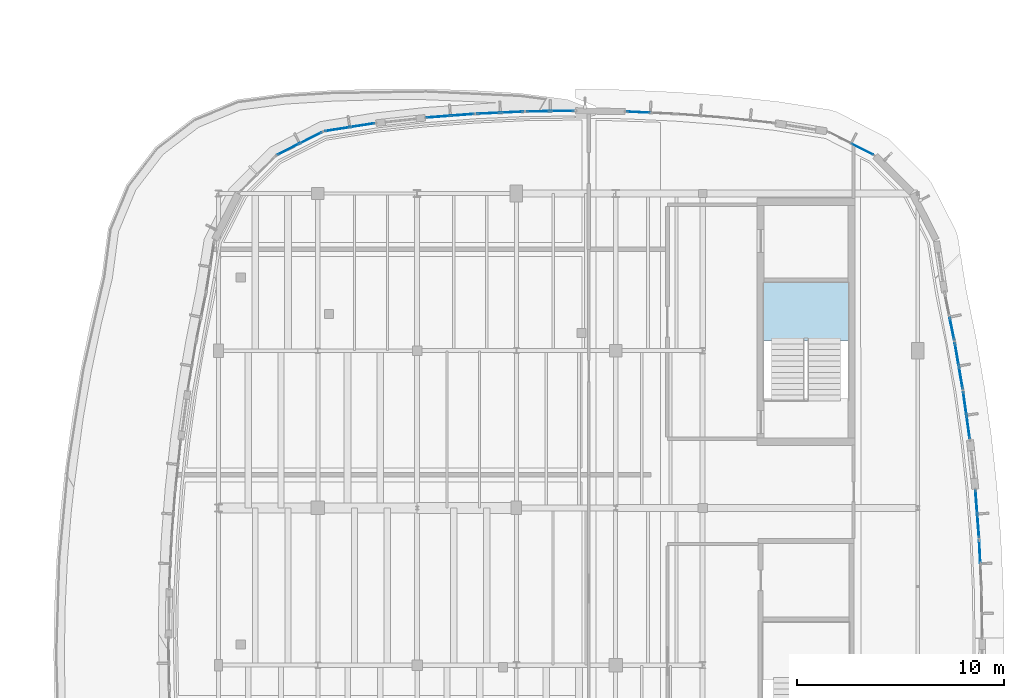
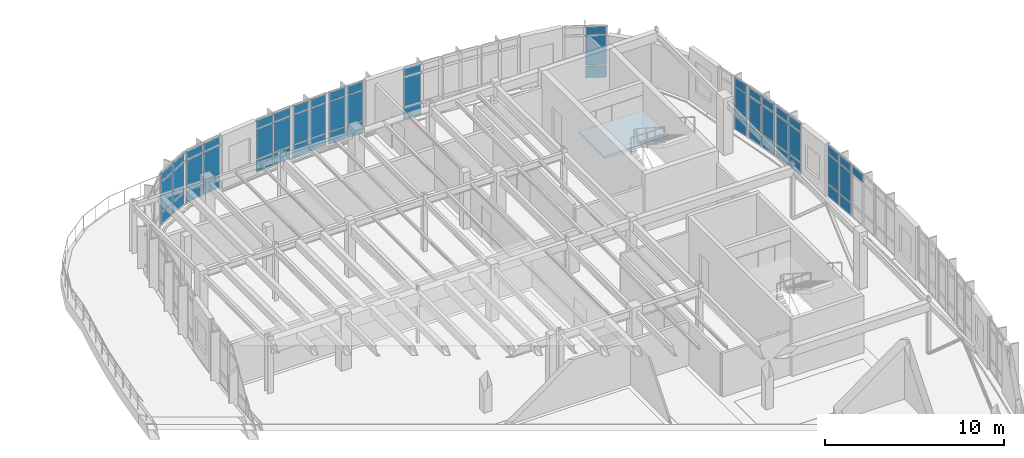
# One storey, part 79 of 111: 58 plates, 1 slab, 13 elements without a shape of their own.
"""IFC4 building model written with IfcOpenShell, lengths in metres."""

from ifc_helpers import new_model, si_unit, direction, frame, origin, origin_2d, place, context, subcontext, project, spatial, polyline, rectangle, outline, extrude, material, layer, layer_set, type_object, element, aggregate, save


model = new_model("IFC4")

# Units and contexts
model_context = context("Model", 3, precision=1e-05, world=origin(), true_north=direction((0.0, 1.0)))
body_context = subcontext(model_context, "Body", "Model", "MODEL_VIEW")
ifc_project = project(units=[si_unit("LENGTHUNIT", "METRE"), si_unit("AREAUNIT", "SQUARE_METRE"), si_unit("VOLUMEUNIT", "CUBIC_METRE"), si_unit("PLANEANGLEUNIT", "RADIAN"), si_unit("MASSUNIT", "GRAM", prefix="KILO")], contexts=[model_context])

# Site, building, storey
site_placement = place(None, origin())
site = spatial("IfcSite", under=ifc_project, at=site_placement, CompositionType="ELEMENT")
building_placement = place(site_placement, origin())
building = spatial("IfcBuilding", under=site, at=building_placement, Name="Corveleigh Park Community Centre", CompositionType="ELEMENT")
storey_placement = place(building_placement, frame((0.0, 0.0, 4.800048828125)))
storey = spatial("IfcBuildingStorey", under=building, at=storey_placement, Name="L01", CompositionType="ELEMENT", Elevation=4.800048828125)

# Curtain wall, plates
ifc_material_1 = material(Name="Anodised aluminium 6063-T6", Category="aluminium")
curtain_wall_type = type_object("IfcCurtainWallType", Name="CW-SYS-V4-L01", PredefinedType="NOTDEFINED", material=ifc_material_1)
curtain_wall_1_placement = place(storey_placement, origin())
curtain_wall_1 = element("IfcCurtainWall", 1, at=curtain_wall_1_placement, inside=storey, type_object=curtain_wall_type, Name="V4 L01 Curtain Wall 277", PredefinedType="NOTDEFINED")
ifc_material_2 = material(Name="Low-E double glazing", Category="glass")
ifc_layer_1 = layer(ifc_material_2, 0.02392578125, Name="Low-E double glazing", Category="glass")
ifc_layer_set_1 = layer_set([ifc_layer_1], Name="Low-E double glazing")
plate_type_1 = type_object("IfcPlateType", Name="CWP-GLZ-24", PredefinedType="CURTAIN_PANEL", material=ifc_layer_set_1)
plate_1_placement = place(storey_placement, frame((165.718017578125, 106.340576171875, 0.06494140625), z_axis=(0.0, 0.0, 1.0), x_axis=(0.89086471553, -0.454268707511, 0.0)))
plate_1 = element("IfcPlate", 2, at=plate_1_placement, type_object=plate_type_1, Name="CW08 panel 2.1", PredefinedType="CURTAIN_PANEL", context=body_context, shape_type="SweptSolid", body=[
    extrude(rectangle(XDim=1.15478515625, YDim=0.02392578125, at=origin_2d()), origin(), (0.0, 0.0, 1.0), 0.802490234375),
])
plate_2_placement = place(storey_placement, frame((165.718017578125, 106.340576171875, 0.932373046875), z_axis=(0.0, 0.0, 1.0), x_axis=(0.89086471553, -0.454268707511, 0.0)))
plate_2 = element("IfcPlate", 3, at=plate_2_placement, type_object=plate_type_1, Name="CW08 panel 2.2", PredefinedType="CURTAIN_PANEL", context=body_context, shape_type="SweptSolid", body=[
    extrude(rectangle(XDim=1.15478515625, YDim=0.02392578125, at=origin_2d()), origin(), (0.0, 0.0, 1.0), 1.9970703125),
])
plate_3_placement = place(storey_placement, frame((165.718017578125, 106.340576171875, 2.99462890625), z_axis=(0.0, 0.0, 1.0), x_axis=(0.89086471553, -0.454268707511, 0.0)))
plate_3 = element("IfcPlate", 4, at=plate_3_placement, type_object=plate_type_1, Name="CW08 panel 2.3", PredefinedType="CURTAIN_PANEL", context=body_context, shape_type="SweptSolid", body=[
    extrude(rectangle(XDim=1.15478515625, YDim=0.02392578125, at=origin_2d()), origin(), (0.0, 0.0, 1.0), 0.552490234375),
])
aggregate(curtain_wall_1, [plate_1, plate_2, plate_3])

curtain_wall_2_placement = place(storey_placement, origin())
curtain_wall_2 = element("IfcCurtainWall", 5, at=curtain_wall_2_placement, inside=storey, type_object=curtain_wall_type, Name="V4 L01 Curtain Wall 280", PredefinedType="NOTDEFINED")
ifc_layer_2 = layer(ifc_material_2, 0.028076171875, Name="Low-E double glazing", Category="glass")
ifc_layer_set_2 = layer_set([ifc_layer_2], Name="Low-E double glazing")
plate_type_2 = type_object("IfcPlateType", Name="CWP-GLZ-28", PredefinedType="CURTAIN_PANEL", material=ifc_layer_set_2)
plate_4_placement = place(storey_placement, frame((154.895263671875, 108.130126953125, 0.080078125), z_axis=(0.0, 0.0, 1.0), x_axis=(0.998911075247, -0.046654729122, 0.0)))
plate_4 = element("IfcPlate", 6, at=plate_4_placement, type_object=plate_type_2, Name="CW08 panel 1.1", PredefinedType="CURTAIN_PANEL", context=body_context, shape_type="SweptSolid", body=[
    extrude(rectangle(XDim=1.087890625, YDim=0.028076171875, at=origin_2d()), origin(), (0.0, 0.0, 1.0), 0.780029296875),
])
plate_5_placement = place(storey_placement, frame((154.895263671875, 108.130126953125, 0.93994140625), z_axis=(0.0, 0.0, 1.0), x_axis=(0.998911075247, -0.046654729122, 0.0)))
plate_5 = element("IfcPlate", 7, at=plate_5_placement, type_object=plate_type_2, Name="CW08 panel 1.2", PredefinedType="CURTAIN_PANEL", context=body_context, shape_type="SweptSolid", body=[
    extrude(rectangle(XDim=1.087890625, YDim=0.028076171875, at=origin_2d()), origin(), (0.0, 0.0, 1.0), 1.98193359375),
])
plate_6_placement = place(storey_placement, frame((154.895263671875, 108.130126953125, 3.001953125), z_axis=(0.0, 0.0, 1.0), x_axis=(0.998911075247, -0.046654729122, 0.0)))
plate_6 = element("IfcPlate", 8, at=plate_6_placement, type_object=plate_type_2, Name="CW08 panel 1.3", PredefinedType="CURTAIN_PANEL", context=body_context, shape_type="SweptSolid", body=[
    extrude(rectangle(XDim=1.087890625, YDim=0.028076171875, at=origin_2d()), origin(), (0.0, 0.0, 1.0), 0.530029296875),
])
aggregate(curtain_wall_2, [plate_4, plate_5, plate_6])

curtain_wall_3_placement = place(storey_placement, origin())
curtain_wall_3 = element("IfcCurtainWall", 9, at=curtain_wall_3_placement, inside=storey, type_object=curtain_wall_type, Name="V4 L01 Curtain Wall 281", PredefinedType="NOTDEFINED")
ifc_layer_3 = layer(ifc_material_2, 0.031982421875, Name="Low-E double glazing", Category="glass")
ifc_layer_set_3 = layer_set([ifc_layer_3], Name="Low-E double glazing")
plate_type_3 = type_object("IfcPlateType", Name="CWP-GLZ-32", PredefinedType="CURTAIN_PANEL", material=ifc_layer_set_3)
plate_7_placement = place(storey_placement, frame((150.06103515625, 108.16845703125, 0.059814453125), z_axis=(0.0, 0.0, 1.0), x_axis=(0.999881184374, 0.01541483492, 0.0)))
plate_7 = element("IfcPlate", 10, at=plate_7_placement, type_object=plate_type_3, Name="CW08 panel 1.1", PredefinedType="CURTAIN_PANEL", context=body_context, shape_type="SweptSolid", body=[
    extrude(rectangle(XDim=1.080078125, YDim=0.031982421875, at=origin_2d()), origin(), (0.0, 0.0, 1.0), 0.81005859375),
])
plate_8_placement = place(storey_placement, frame((150.06103515625, 108.16845703125, 0.9296875), z_axis=(0.0, 0.0, 1.0), x_axis=(0.999881184374, 0.01541483492, 0.0)))
plate_8 = element("IfcPlate", 11, at=plate_8_placement, type_object=plate_type_3, Name="CW08 panel 1.2", PredefinedType="CURTAIN_PANEL", context=body_context, shape_type="SweptSolid", body=[
    extrude(rectangle(XDim=1.080078125, YDim=0.031982421875, at=origin_2d()), origin(), (0.0, 0.0, 1.0), 2.027099609375),
])
plate_9_placement = place(storey_placement, frame((150.06103515625, 108.16845703125, 3.016845703125), z_axis=(0.0, 0.0, 1.0), x_axis=(0.999881184374, 0.01541483492, 0.0)))
plate_9 = element("IfcPlate", 12, at=plate_9_placement, type_object=plate_type_3, Name="CW08 panel 1.3", PredefinedType="CURTAIN_PANEL", context=body_context, shape_type="SweptSolid", body=[
    extrude(rectangle(XDim=1.080078125, YDim=0.031982421875, at=origin_2d()), origin(), (0.0, 0.0, 1.0), 0.56005859375),
])
plate_10_placement = place(storey_placement, frame((151.220947265625, 108.1865234375, 0.059814453125), z_axis=(0.0, 0.0, 1.0), x_axis=(0.999881184374, 0.01541483492, 0.0)))
plate_10 = element("IfcPlate", 13, at=plate_10_placement, type_object=plate_type_3, Name="CW08 panel 2.1", PredefinedType="CURTAIN_PANEL", context=body_context, shape_type="SweptSolid", body=[
    extrude(rectangle(XDim=1.080078125, YDim=0.031982421875, at=origin_2d()), origin(), (0.0, 0.0, 1.0), 0.81005859375),
])
plate_11_placement = place(storey_placement, frame((151.220947265625, 108.1865234375, 0.9296875), z_axis=(0.0, 0.0, 1.0), x_axis=(0.999881184374, 0.01541483492, 0.0)))
plate_11 = element("IfcPlate", 14, at=plate_11_placement, type_object=plate_type_3, Name="CW08 panel 2.2", PredefinedType="CURTAIN_PANEL", context=body_context, shape_type="SweptSolid", body=[
    extrude(rectangle(XDim=1.080078125, YDim=0.031982421875, at=origin_2d()), origin(), (0.0, 0.0, 1.0), 2.027099609375),
])
plate_12_placement = place(storey_placement, frame((151.220947265625, 108.1865234375, 3.016845703125), z_axis=(0.0, 0.0, 1.0), x_axis=(0.999881184374, 0.01541483492, 0.0)))
plate_12 = element("IfcPlate", 15, at=plate_12_placement, type_object=plate_type_3, Name="CW08 panel 2.3", PredefinedType="CURTAIN_PANEL", context=body_context, shape_type="SweptSolid", body=[
    extrude(rectangle(XDim=1.080078125, YDim=0.031982421875, at=origin_2d()), origin(), (0.0, 0.0, 1.0), 0.56005859375),
])
aggregate(curtain_wall_3, [plate_7, plate_8, plate_9, plate_10, plate_11, plate_12])

curtain_wall_4_placement = place(storey_placement, origin())
curtain_wall_4 = element("IfcCurtainWall", 16, at=curtain_wall_4_placement, inside=storey, type_object=curtain_wall_type, Name="V4 L01 Curtain Wall 282", PredefinedType="NOTDEFINED")
plate_13_placement = place(storey_placement, frame((147.645751953125, 108.075927734375, 0.06494140625), z_axis=(0.0, 0.0, 1.0), x_axis=(0.998911075247, 0.046654729122, 0.0)))
plate_13 = element("IfcPlate", 17, at=plate_13_placement, type_object=plate_type_3, Name="CW08 panel 1.1", PredefinedType="CURTAIN_PANEL", context=body_context, shape_type="SweptSolid", body=[
    extrude(rectangle(XDim=1.07275390625, YDim=0.031982421875, at=origin_2d()), origin(), (0.0, 0.0, 1.0), 0.802490234375),
])
plate_14_placement = place(storey_placement, frame((147.645751953125, 108.075927734375, 0.932373046875), z_axis=(0.0, 0.0, 1.0), x_axis=(0.998911075247, 0.046654729122, 0.0)))
plate_14 = element("IfcPlate", 18, at=plate_14_placement, type_object=plate_type_3, Name="CW08 panel 1.2", PredefinedType="CURTAIN_PANEL", context=body_context, shape_type="SweptSolid", body=[
    extrude(rectangle(XDim=1.07275390625, YDim=0.031982421875, at=origin_2d()), origin(), (0.0, 0.0, 1.0), 2.02197265625),
])
plate_15_placement = place(storey_placement, frame((147.645751953125, 108.075927734375, 3.01953125), z_axis=(0.0, 0.0, 1.0), x_axis=(0.998911075247, 0.046654729122, 0.0)))
plate_15 = element("IfcPlate", 19, at=plate_15_placement, type_object=plate_type_3, Name="CW08 panel 1.3", PredefinedType="CURTAIN_PANEL", context=body_context, shape_type="SweptSolid", body=[
    extrude(rectangle(XDim=1.07275390625, YDim=0.031982421875, at=origin_2d()), origin(), (0.0, 0.0, 1.0), 0.552490234375),
])
plate_16_placement = place(storey_placement, frame((148.80224609375, 108.130126953125, 0.06494140625), z_axis=(0.0, 0.0, 1.0), x_axis=(0.998911075247, 0.046654729122, 0.0)))
plate_16 = element("IfcPlate", 20, at=plate_16_placement, type_object=plate_type_3, Name="CW08 panel 2.1", PredefinedType="CURTAIN_PANEL", context=body_context, shape_type="SweptSolid", body=[
    extrude(rectangle(XDim=1.07275390625, YDim=0.031982421875, at=origin_2d()), origin(), (0.0, 0.0, 1.0), 0.802490234375),
])
plate_17_placement = place(storey_placement, frame((148.80224609375, 108.130126953125, 0.932373046875), z_axis=(0.0, 0.0, 1.0), x_axis=(0.998911075247, 0.046654729122, 0.0)))
plate_17 = element("IfcPlate", 21, at=plate_17_placement, type_object=plate_type_3, Name="CW08 panel 2.2", PredefinedType="CURTAIN_PANEL", context=body_context, shape_type="SweptSolid", body=[
    extrude(rectangle(XDim=1.07275390625, YDim=0.031982421875, at=origin_2d()), origin(), (0.0, 0.0, 1.0), 2.02197265625),
])
plate_18_placement = place(storey_placement, frame((148.80224609375, 108.130126953125, 3.01953125), z_axis=(0.0, 0.0, 1.0), x_axis=(0.998911075247, 0.046654729122, 0.0)))
plate_18 = element("IfcPlate", 22, at=plate_18_placement, type_object=plate_type_3, Name="CW08 panel 2.3", PredefinedType="CURTAIN_PANEL", context=body_context, shape_type="SweptSolid", body=[
    extrude(rectangle(XDim=1.07275390625, YDim=0.031982421875, at=origin_2d()), origin(), (0.0, 0.0, 1.0), 0.552490234375),
])
aggregate(curtain_wall_4, [plate_13, plate_14, plate_15, plate_16, plate_17, plate_18])

# Curtain wall, plate
curtain_wall_5_placement = place(storey_placement, origin())
curtain_wall_5 = element("IfcCurtainWall", 23, at=curtain_wall_5_placement, inside=storey, type_object=curtain_wall_type, Name="V4 L01 Curtain Wall 272", PredefinedType="NOTDEFINED")
ifc_layer_4 = layer(ifc_material_2, 0.035888671875, Name="Low-E double glazing", Category="glass")
ifc_layer_set_4 = layer_set([ifc_layer_4], Name="Low-E double glazing")
plate_type_4 = type_object("IfcPlateType", Name="CWP-GLZ-36", PredefinedType="CURTAIN_PANEL", material=ifc_layer_set_4)
plate_19_placement = place(storey_placement, frame((171.397705078125, 86.884765625, 2.99462890625), z_axis=(0.0, 0.0, 1.0), x_axis=(0.046928106618, -0.9988982695, 0.0)))
plate_19 = element("IfcPlate", 24, at=plate_19_placement, type_object=plate_type_4, Name="CW08 panel 1.3", PredefinedType="CURTAIN_PANEL", context=body_context, shape_type="SweptSolid", body=[
    extrude(rectangle(XDim=1.095703125, YDim=0.035888671875, at=origin_2d()), origin(), (0.0, 0.0, 1.0), 0.552490234375),
])
aggregate(curtain_wall_5, [plate_19])

# Curtain wall, plates
curtain_wall_6_placement = place(storey_placement, origin())
curtain_wall_6 = element("IfcCurtainWall", 25, at=curtain_wall_6_placement, inside=storey, type_object=curtain_wall_type, Name="V4 L01 Curtain Wall 283", PredefinedType="NOTDEFINED")
plate_20_placement = place(storey_placement, frame((145.2265625, 107.9091796875, 0.070068359375), z_axis=(0.0, 0.0, 1.0), x_axis=(0.997059383263, 0.076632801378, 0.0)))
plate_20 = element("IfcPlate", 26, at=plate_20_placement, type_object=plate_type_4, Name="CW08 panel 1.1", PredefinedType="CURTAIN_PANEL", context=body_context, shape_type="SweptSolid", body=[
    extrude(rectangle(XDim=1.110595703125, YDim=0.035888671875, at=origin_2d()), origin(), (0.0, 0.0, 1.0), 0.794921875),
])
plate_21_placement = place(storey_placement, frame((145.2265625, 107.9091796875, 0.934814453125), z_axis=(0.0, 0.0, 1.0), x_axis=(0.997059383263, 0.076632801378, 0.0)))
plate_21 = element("IfcPlate", 27, at=plate_21_placement, type_object=plate_type_4, Name="CW08 panel 1.2", PredefinedType="CURTAIN_PANEL", context=body_context, shape_type="SweptSolid", body=[
    extrude(rectangle(XDim=1.110595703125, YDim=0.035888671875, at=origin_2d()), origin(), (0.0, 0.0, 1.0), 2.01708984375),
])
plate_22_placement = place(storey_placement, frame((145.2265625, 107.9091796875, 3.02197265625), z_axis=(0.0, 0.0, 1.0), x_axis=(0.997059383263, 0.076632801378, 0.0)))
plate_22 = element("IfcPlate", 28, at=plate_22_placement, type_object=plate_type_4, Name="CW08 panel 1.3", PredefinedType="CURTAIN_PANEL", context=body_context, shape_type="SweptSolid", body=[
    extrude(rectangle(XDim=1.110595703125, YDim=0.035888671875, at=origin_2d()), origin(), (0.0, 0.0, 1.0), 0.544921875),
])
plate_23_placement = place(storey_placement, frame((146.3935546875, 107.998779296875, 0.070068359375), z_axis=(0.0, 0.0, 1.0), x_axis=(0.997059383263, 0.076632801378, 0.0)))
plate_23 = element("IfcPlate", 29, at=plate_23_placement, type_object=plate_type_4, Name="CW08 panel 2.1", PredefinedType="CURTAIN_PANEL", context=body_context, shape_type="SweptSolid", body=[
    extrude(rectangle(XDim=1.110595703125, YDim=0.035888671875, at=origin_2d()), origin(), (0.0, 0.0, 1.0), 0.794921875),
])
plate_24_placement = place(storey_placement, frame((146.3935546875, 107.998779296875, 0.934814453125), z_axis=(0.0, 0.0, 1.0), x_axis=(0.997059383263, 0.076632801378, 0.0)))
plate_24 = element("IfcPlate", 30, at=plate_24_placement, type_object=plate_type_4, Name="CW08 panel 2.2", PredefinedType="CURTAIN_PANEL", context=body_context, shape_type="SweptSolid", body=[
    extrude(rectangle(XDim=1.110595703125, YDim=0.035888671875, at=origin_2d()), origin(), (0.0, 0.0, 1.0), 2.01708984375),
])
plate_25_placement = place(storey_placement, frame((146.3935546875, 107.998779296875, 3.02197265625), z_axis=(0.0, 0.0, 1.0), x_axis=(0.997059383263, 0.076632801378, 0.0)))
plate_25 = element("IfcPlate", 31, at=plate_25_placement, type_object=plate_type_4, Name="CW08 panel 2.3", PredefinedType="CURTAIN_PANEL", context=body_context, shape_type="SweptSolid", body=[
    extrude(rectangle(XDim=1.110595703125, YDim=0.035888671875, at=origin_2d()), origin(), (0.0, 0.0, 1.0), 0.544921875),
])
aggregate(curtain_wall_6, [plate_20, plate_21, plate_22, plate_23, plate_24, plate_25])

curtain_wall_7_placement = place(storey_placement, origin())
curtain_wall_7 = element("IfcCurtainWall", 32, at=curtain_wall_7_placement, inside=storey, type_object=curtain_wall_type, Name="V4 L01 Curtain Wall 284", PredefinedType="NOTDEFINED")
plate_26_placement = place(storey_placement, frame((140.34130859375, 107.305908203125, 0.074951171875), z_axis=(0.0, 0.0, 1.0), x_axis=(0.987724261762, 0.156207498942, 0.0)))
plate_26 = element("IfcPlate", 33, at=plate_26_placement, type_object=plate_type_4, Name="CW08 panel 1.1", PredefinedType="CURTAIN_PANEL", context=body_context, shape_type="SweptSolid", body=[
    extrude(rectangle(XDim=1.160400390625, YDim=0.035888671875, at=origin_2d()), origin(), (0.0, 0.0, 1.0), 0.78759765625),
])
plate_27_placement = place(storey_placement, frame((140.34130859375, 107.305908203125, 0.9375), z_axis=(0.0, 0.0, 1.0), x_axis=(0.987724261762, 0.156207498942, 0.0)))
plate_27 = element("IfcPlate", 34, at=plate_27_placement, type_object=plate_type_4, Name="CW08 panel 1.2", PredefinedType="CURTAIN_PANEL", context=body_context, shape_type="SweptSolid", body=[
    extrude(rectangle(XDim=1.160400390625, YDim=0.035888671875, at=origin_2d()), origin(), (0.0, 0.0, 1.0), 2.011962890625),
])
plate_28_placement = place(storey_placement, frame((140.34130859375, 107.305908203125, 3.0244140625), z_axis=(0.0, 0.0, 1.0), x_axis=(0.987724261762, 0.156207498942, 0.0)))
plate_28 = element("IfcPlate", 35, at=plate_28_placement, type_object=plate_type_4, Name="CW08 panel 1.3", PredefinedType="CURTAIN_PANEL", context=body_context, shape_type="SweptSolid", body=[
    extrude(rectangle(XDim=1.160400390625, YDim=0.035888671875, at=origin_2d()), origin(), (0.0, 0.0, 1.0), 0.53759765625),
])
plate_29_placement = place(storey_placement, frame((141.5517578125, 107.497314453125, 0.074951171875), z_axis=(0.0, 0.0, 1.0), x_axis=(0.987724261762, 0.156207498942, 0.0)))
plate_29 = element("IfcPlate", 36, at=plate_29_placement, type_object=plate_type_4, Name="CW08 panel 2.1", PredefinedType="CURTAIN_PANEL", context=body_context, shape_type="SweptSolid", body=[
    extrude(rectangle(XDim=1.160400390625, YDim=0.035888671875, at=origin_2d()), origin(), (0.0, 0.0, 1.0), 0.78759765625),
])
plate_30_placement = place(storey_placement, frame((141.5517578125, 107.497314453125, 0.9375), z_axis=(0.0, 0.0, 1.0), x_axis=(0.987724261762, 0.156207498942, 0.0)))
plate_30 = element("IfcPlate", 37, at=plate_30_placement, type_object=plate_type_4, Name="CW08 panel 2.2", PredefinedType="CURTAIN_PANEL", context=body_context, shape_type="SweptSolid", body=[
    extrude(rectangle(XDim=1.160400390625, YDim=0.035888671875, at=origin_2d()), origin(), (0.0, 0.0, 1.0), 2.011962890625),
])
plate_31_placement = place(storey_placement, frame((141.5517578125, 107.497314453125, 3.0244140625), z_axis=(0.0, 0.0, 1.0), x_axis=(0.987724261762, 0.156207498942, 0.0)))
plate_31 = element("IfcPlate", 38, at=plate_31_placement, type_object=plate_type_4, Name="CW08 panel 2.3", PredefinedType="CURTAIN_PANEL", context=body_context, shape_type="SweptSolid", body=[
    extrude(rectangle(XDim=1.160400390625, YDim=0.035888671875, at=origin_2d()), origin(), (0.0, 0.0, 1.0), 0.53759765625),
])
aggregate(curtain_wall_7, [plate_26, plate_27, plate_28, plate_29, plate_30, plate_31])

curtain_wall_8_placement = place(storey_placement, origin())
curtain_wall_8 = element("IfcCurtainWall", 39, at=curtain_wall_8_placement, inside=storey, type_object=curtain_wall_type, Name="V4 L01 Curtain Wall 273", PredefinedType="NOTDEFINED")
ifc_layer_5 = layer(ifc_material_2, 0.0400390625, Name="Low-E double glazing", Category="glass")
ifc_layer_set_5 = layer_set([ifc_layer_5], Name="Low-E double glazing")
plate_type_5 = type_object("IfcPlateType", Name="CWP-GLZ-40", PredefinedType="CURTAIN_PANEL", material=ifc_layer_set_5)
plate_32_placement = place(storey_placement, frame((171.2314453125, 89.28173828125, 0.070068359375), z_axis=(0.0, 0.0, 1.0), x_axis=(0.077113119982, -0.997022350164, 0.0)))
plate_32 = element("IfcPlate", 40, at=plate_32_placement, type_object=plate_type_5, Name="CW08 panel 1.1", PredefinedType="CURTAIN_PANEL", context=body_context, shape_type="SweptSolid", body=[
    extrude(rectangle(XDim=1.088134765625, YDim=0.0400390625, at=origin_2d()), origin(), (0.0, 0.0, 1.0), 0.794921875),
])
plate_33_placement = place(storey_placement, frame((171.2314453125, 89.28173828125, 0.93505859375), z_axis=(0.0, 0.0, 1.0), x_axis=(0.077113119982, -0.997022350164, 0.0)))
plate_33 = element("IfcPlate", 41, at=plate_33_placement, type_object=plate_type_5, Name="CW08 panel 1.2", PredefinedType="CURTAIN_PANEL", context=body_context, shape_type="SweptSolid", body=[
    extrude(rectangle(XDim=1.088134765625, YDim=0.0400390625, at=origin_2d()), origin(), (0.0, 0.0, 1.0), 1.991943359375),
])
plate_34_placement = place(storey_placement, frame((171.2314453125, 89.28173828125, 2.9970703125), z_axis=(0.0, 0.0, 1.0), x_axis=(0.077113119982, -0.997022350164, 0.0)))
plate_34 = element("IfcPlate", 42, at=plate_34_placement, type_object=plate_type_5, Name="CW08 panel 1.3", PredefinedType="CURTAIN_PANEL", context=body_context, shape_type="SweptSolid", body=[
    extrude(rectangle(XDim=1.088134765625, YDim=0.0400390625, at=origin_2d()), origin(), (0.0, 0.0, 1.0), 0.544921875),
])
plate_35_placement = place(storey_placement, frame((171.320556640625, 88.127197265625, 0.070068359375), z_axis=(0.0, 0.0, 1.0), x_axis=(0.077113119982, -0.997022350164, 0.0)))
plate_35 = element("IfcPlate", 43, at=plate_35_placement, type_object=plate_type_5, Name="CW08 panel 2.1", PredefinedType="CURTAIN_PANEL", context=body_context, shape_type="SweptSolid", body=[
    extrude(rectangle(XDim=1.088134765625, YDim=0.0400390625, at=origin_2d()), origin(), (0.0, 0.0, 1.0), 0.794921875),
])
plate_36_placement = place(storey_placement, frame((171.320556640625, 88.127197265625, 0.93505859375), z_axis=(0.0, 0.0, 1.0), x_axis=(0.077113119982, -0.997022350164, 0.0)))
plate_36 = element("IfcPlate", 44, at=plate_36_placement, type_object=plate_type_5, Name="CW08 panel 2.2", PredefinedType="CURTAIN_PANEL", context=body_context, shape_type="SweptSolid", body=[
    extrude(rectangle(XDim=1.088134765625, YDim=0.0400390625, at=origin_2d()), origin(), (0.0, 0.0, 1.0), 1.991943359375),
])
plate_37_placement = place(storey_placement, frame((171.320556640625, 88.127197265625, 2.9970703125), z_axis=(0.0, 0.0, 1.0), x_axis=(0.077113119982, -0.997022350164, 0.0)))
plate_37 = element("IfcPlate", 45, at=plate_37_placement, type_object=plate_type_5, Name="CW08 panel 2.3", PredefinedType="CURTAIN_PANEL", context=body_context, shape_type="SweptSolid", body=[
    extrude(rectangle(XDim=1.088134765625, YDim=0.0400390625, at=origin_2d()), origin(), (0.0, 0.0, 1.0), 0.544921875),
])
aggregate(curtain_wall_8, [plate_32, plate_33, plate_34, plate_35, plate_36, plate_37])

curtain_wall_9_placement = place(storey_placement, origin())
curtain_wall_9 = element("IfcCurtainWall", 46, at=curtain_wall_9_placement, inside=storey, type_object=curtain_wall_type, Name="V4 L01 Curtain Wall 274", PredefinedType="NOTDEFINED")
plate_38_placement = place(storey_placement, frame((170.675537109375, 94.056396484375, 0.074951171875), z_axis=(0.0, 0.0, 1.0), x_axis=(0.139075113882, -0.990281834984, 0.0)))
plate_38 = element("IfcPlate", 47, at=plate_38_placement, type_object=plate_type_5, Name="CW08 panel 1.1", PredefinedType="CURTAIN_PANEL", context=body_context, shape_type="SweptSolid", body=[
    extrude(rectangle(XDim=1.0810546875, YDim=0.0400390625, at=origin_2d()), origin(), (0.0, 0.0, 1.0), 0.78759765625),
])
plate_39_placement = place(storey_placement, frame((170.675537109375, 94.056396484375, 0.9375), z_axis=(0.0, 0.0, 1.0), x_axis=(0.139075113882, -0.990281834984, 0.0)))
plate_39 = element("IfcPlate", 48, at=plate_39_placement, type_object=plate_type_5, Name="CW08 panel 1.2", PredefinedType="CURTAIN_PANEL", context=body_context, shape_type="SweptSolid", body=[
    extrude(rectangle(XDim=1.0810546875, YDim=0.0400390625, at=origin_2d()), origin(), (0.0, 0.0, 1.0), 1.987060546875),
])
plate_40_placement = place(storey_placement, frame((170.675537109375, 94.056396484375, 2.99951171875), z_axis=(0.0, 0.0, 1.0), x_axis=(0.139075113882, -0.990281834984, 0.0)))
plate_40 = element("IfcPlate", 49, at=plate_40_placement, type_object=plate_type_5, Name="CW08 panel 1.3", PredefinedType="CURTAIN_PANEL", context=body_context, shape_type="SweptSolid", body=[
    extrude(rectangle(XDim=1.0810546875, YDim=0.0400390625, at=origin_2d()), origin(), (0.0, 0.0, 1.0), 0.53759765625),
])
plate_41_placement = place(storey_placement, frame((170.83642578125, 92.91162109375, 0.074951171875), z_axis=(0.0, 0.0, 1.0), x_axis=(0.139075113882, -0.990281834984, 0.0)))
plate_41 = element("IfcPlate", 50, at=plate_41_placement, type_object=plate_type_5, Name="CW08 panel 2.1", PredefinedType="CURTAIN_PANEL", context=body_context, shape_type="SweptSolid", body=[
    extrude(rectangle(XDim=1.0810546875, YDim=0.0400390625, at=origin_2d()), origin(), (0.0, 0.0, 1.0), 0.78759765625),
])
plate_42_placement = place(storey_placement, frame((170.83642578125, 92.91162109375, 0.9375), z_axis=(0.0, 0.0, 1.0), x_axis=(0.139075113882, -0.990281834984, 0.0)))
plate_42 = element("IfcPlate", 51, at=plate_42_placement, type_object=plate_type_5, Name="CW08 panel 2.2", PredefinedType="CURTAIN_PANEL", context=body_context, shape_type="SweptSolid", body=[
    extrude(rectangle(XDim=1.0810546875, YDim=0.0400390625, at=origin_2d()), origin(), (0.0, 0.0, 1.0), 1.987060546875),
])
plate_43_placement = place(storey_placement, frame((170.83642578125, 92.91162109375, 2.99951171875), z_axis=(0.0, 0.0, 1.0), x_axis=(0.139075113882, -0.990281834984, 0.0)))
plate_43 = element("IfcPlate", 52, at=plate_43_placement, type_object=plate_type_5, Name="CW08 panel 2.3", PredefinedType="CURTAIN_PANEL", context=body_context, shape_type="SweptSolid", body=[
    extrude(rectangle(XDim=1.0810546875, YDim=0.0400390625, at=origin_2d()), origin(), (0.0, 0.0, 1.0), 0.53759765625),
])
aggregate(curtain_wall_9, [plate_38, plate_39, plate_40, plate_41, plate_42, plate_43])

curtain_wall_10_placement = place(storey_placement, origin())
curtain_wall_10 = element("IfcCurtainWall", 53, at=curtain_wall_10_placement, inside=storey, type_object=curtain_wall_type, Name="V4 L01 Curtain Wall 285", PredefinedType="NOTDEFINED")
plate_44_placement = place(storey_placement, frame((137.984130859375, 106.341796875, 0.080078125), z_axis=(0.0, 0.0, 1.0), x_axis=(0.89086471553, 0.454268707511, 0.0)))
plate_44 = element("IfcPlate", 54, at=plate_44_placement, type_object=plate_type_5, Name="CW08 panel 1.1", PredefinedType="CURTAIN_PANEL", context=body_context, shape_type="SweptSolid", body=[
    extrude(rectangle(XDim=1.139892578125, YDim=0.0400390625, at=origin_2d()), origin(), (0.0, 0.0, 1.0), 0.780029296875),
])
plate_45_placement = place(storey_placement, frame((137.984130859375, 106.341796875, 0.93994140625), z_axis=(0.0, 0.0, 1.0), x_axis=(0.89086471553, 0.454268707511, 0.0)))
plate_45 = element("IfcPlate", 55, at=plate_45_placement, type_object=plate_type_5, Name="CW08 panel 1.2", PredefinedType="CURTAIN_PANEL", context=body_context, shape_type="SweptSolid", body=[
    extrude(rectangle(XDim=1.139892578125, YDim=0.0400390625, at=origin_2d()), origin(), (0.0, 0.0, 1.0), 2.007080078125),
])
plate_46_placement = place(storey_placement, frame((137.984130859375, 106.341796875, 3.02685546875), z_axis=(0.0, 0.0, 1.0), x_axis=(0.89086471553, 0.454268707511, 0.0)))
plate_46 = element("IfcPlate", 56, at=plate_46_placement, type_object=plate_type_5, Name="CW08 panel 1.3", PredefinedType="CURTAIN_PANEL", context=body_context, shape_type="SweptSolid", body=[
    extrude(rectangle(XDim=1.139892578125, YDim=0.0400390625, at=origin_2d()), origin(), (0.0, 0.0, 1.0), 0.530029296875),
])
plate_47_placement = place(storey_placement, frame((139.06201171875, 106.891357421875, 0.080078125), z_axis=(0.0, 0.0, 1.0), x_axis=(0.89086471553, 0.454268707511, 0.0)))
plate_47 = element("IfcPlate", 57, at=plate_47_placement, type_object=plate_type_5, Name="CW08 panel 2.1", PredefinedType="CURTAIN_PANEL", context=body_context, shape_type="SweptSolid", body=[
    extrude(rectangle(XDim=1.139892578125, YDim=0.0400390625, at=origin_2d()), origin(), (0.0, 0.0, 1.0), 0.780029296875),
])
plate_48_placement = place(storey_placement, frame((139.06201171875, 106.891357421875, 0.93994140625), z_axis=(0.0, 0.0, 1.0), x_axis=(0.89086471553, 0.454268707511, 0.0)))
plate_48 = element("IfcPlate", 58, at=plate_48_placement, type_object=plate_type_5, Name="CW08 panel 2.2", PredefinedType="CURTAIN_PANEL", context=body_context, shape_type="SweptSolid", body=[
    extrude(rectangle(XDim=1.139892578125, YDim=0.0400390625, at=origin_2d()), origin(), (0.0, 0.0, 1.0), 2.007080078125),
])
plate_49_placement = place(storey_placement, frame((139.06201171875, 106.891357421875, 3.02685546875), z_axis=(0.0, 0.0, 1.0), x_axis=(0.89086471553, 0.454268707511, 0.0)))
plate_49 = element("IfcPlate", 59, at=plate_49_placement, type_object=plate_type_5, Name="CW08 panel 2.3", PredefinedType="CURTAIN_PANEL", context=body_context, shape_type="SweptSolid", body=[
    extrude(rectangle(XDim=1.139892578125, YDim=0.0400390625, at=origin_2d()), origin(), (0.0, 0.0, 1.0), 0.530029296875),
])
aggregate(curtain_wall_10, [plate_44, plate_45, plate_46, plate_47, plate_48, plate_49])

curtain_wall_11_placement = place(storey_placement, origin())
curtain_wall_11 = element("IfcCurtainWall", 60, at=curtain_wall_11_placement, inside=storey, type_object=curtain_wall_type, Name="V4 L01 Curtain Wall 275", PredefinedType="NOTDEFINED")
ifc_layer_6 = layer(ifc_material_2, 0.0439453125, Name="Low-E double glazing", Category="glass")
ifc_layer_set_6 = layer_set([ifc_layer_6], Name="Low-E double glazing")
plate_type_6 = type_object("IfcPlateType", Name="CWP-GLZ-44", PredefinedType="CURTAIN_PANEL", material=ifc_layer_set_6)
plate_50_placement = place(storey_placement, frame((170.287353515625, 96.427490234375, 0.080078125), z_axis=(0.0, 0.0, 1.0), x_axis=(0.16935940473, -0.985554357724, 0.0)))
plate_50 = element("IfcPlate", 61, at=plate_50_placement, type_object=plate_type_6, Name="CW08 panel 1.1", PredefinedType="CURTAIN_PANEL", context=body_context, shape_type="SweptSolid", body=[
    extrude(rectangle(XDim=1.07275390625, YDim=0.0439453125, at=origin_2d()), origin(), (0.0, 0.0, 1.0), 0.780029296875),
])
plate_51_placement = place(storey_placement, frame((170.287353515625, 96.427490234375, 0.93994140625), z_axis=(0.0, 0.0, 1.0), x_axis=(0.16935940473, -0.985554357724, 0.0)))
plate_51 = element("IfcPlate", 62, at=plate_51_placement, type_object=plate_type_6, Name="CW08 panel 1.2", PredefinedType="CURTAIN_PANEL", context=body_context, shape_type="SweptSolid", body=[
    extrude(rectangle(XDim=1.07275390625, YDim=0.0439453125, at=origin_2d()), origin(), (0.0, 0.0, 1.0), 1.98193359375),
])
plate_52_placement = place(storey_placement, frame((170.287353515625, 96.427490234375, 3.001953125), z_axis=(0.0, 0.0, 1.0), x_axis=(0.16935940473, -0.985554357724, 0.0)))
plate_52 = element("IfcPlate", 63, at=plate_52_placement, type_object=plate_type_6, Name="CW08 panel 1.3", PredefinedType="CURTAIN_PANEL", context=body_context, shape_type="SweptSolid", body=[
    extrude(rectangle(XDim=1.07275390625, YDim=0.0439453125, at=origin_2d()), origin(), (0.0, 0.0, 1.0), 0.530029296875),
])
plate_53_placement = place(storey_placement, frame((170.482666015625, 95.29150390625, 0.080078125), z_axis=(0.0, 0.0, 1.0), x_axis=(0.16935940473, -0.985554357724, 0.0)))
plate_53 = element("IfcPlate", 64, at=plate_53_placement, type_object=plate_type_6, Name="CW08 panel 2.1", PredefinedType="CURTAIN_PANEL", context=body_context, shape_type="SweptSolid", body=[
    extrude(rectangle(XDim=1.07275390625, YDim=0.0439453125, at=origin_2d()), origin(), (0.0, 0.0, 1.0), 0.780029296875),
])
plate_54_placement = place(storey_placement, frame((170.482666015625, 95.29150390625, 0.93994140625), z_axis=(0.0, 0.0, 1.0), x_axis=(0.16935940473, -0.985554357724, 0.0)))
plate_54 = element("IfcPlate", 65, at=plate_54_placement, type_object=plate_type_6, Name="CW08 panel 2.2", PredefinedType="CURTAIN_PANEL", context=body_context, shape_type="SweptSolid", body=[
    extrude(rectangle(XDim=1.07275390625, YDim=0.0439453125, at=origin_2d()), origin(), (0.0, 0.0, 1.0), 1.98193359375),
])
plate_55_placement = place(storey_placement, frame((170.482666015625, 95.29150390625, 3.001953125), z_axis=(0.0, 0.0, 1.0), x_axis=(0.16935940473, -0.985554357724, 0.0)))
plate_55 = element("IfcPlate", 66, at=plate_55_placement, type_object=plate_type_6, Name="CW08 panel 2.3", PredefinedType="CURTAIN_PANEL", context=body_context, shape_type="SweptSolid", body=[
    extrude(rectangle(XDim=1.07275390625, YDim=0.0439453125, at=origin_2d()), origin(), (0.0, 0.0, 1.0), 0.530029296875),
])
aggregate(curtain_wall_11, [plate_50, plate_51, plate_52, plate_53, plate_54, plate_55])

curtain_wall_12_placement = place(storey_placement, origin())
curtain_wall_12 = element("IfcCurtainWall", 67, at=curtain_wall_12_placement, inside=storey, type_object=curtain_wall_type, Name="V4 L01 Curtain Wall 276", PredefinedType="NOTDEFINED")
plate_56_placement = place(storey_placement, frame((170.055419921875, 97.657958984375, 0.059814453125), z_axis=(0.0, 0.0, 1.0), x_axis=(0.19998465427, -0.979799029422, 0.0)))
plate_56 = element("IfcPlate", 68, at=plate_56_placement, type_object=plate_type_6, Name="CW08 panel 2.1", PredefinedType="CURTAIN_PANEL", context=body_context, shape_type="SweptSolid", body=[
    extrude(rectangle(XDim=1.065185546875, YDim=0.0439453125, at=origin_2d()), origin(), (0.0, 0.0, 1.0), 0.81005859375),
])
plate_57_placement = place(storey_placement, frame((170.055419921875, 97.657958984375, 0.929931640625), z_axis=(0.0, 0.0, 1.0), x_axis=(0.19998465427, -0.979799029422, 0.0)))
plate_57 = element("IfcPlate", 69, at=plate_57_placement, type_object=plate_type_6, Name="CW08 panel 2.2", PredefinedType="CURTAIN_PANEL", context=body_context, shape_type="SweptSolid", body=[
    extrude(rectangle(XDim=1.065185546875, YDim=0.0439453125, at=origin_2d()), origin(), (0.0, 0.0, 1.0), 2.001953125),
])
plate_58_placement = place(storey_placement, frame((170.055419921875, 97.657958984375, 2.991943359375), z_axis=(0.0, 0.0, 1.0), x_axis=(0.19998465427, -0.979799029422, 0.0)))
plate_58 = element("IfcPlate", 70, at=plate_58_placement, type_object=plate_type_6, Name="CW08 panel 2.3", PredefinedType="CURTAIN_PANEL", context=body_context, shape_type="SweptSolid", body=[
    extrude(rectangle(XDim=1.065185546875, YDim=0.0439453125, at=origin_2d()), origin(), (0.0, 0.0, 1.0), 0.56005859375),
])
aggregate(curtain_wall_12, [plate_56, plate_57, plate_58])

# Stair, slab
ifc_material_3 = material(Name="Concrete C32/40", Category="concrete")
stair_type = type_object("IfcStairType", Name="STR-HT-1600-390", PredefinedType="USERDEFINED", material=ifc_material_3)
stair_placement = place(storey_placement, origin())
stair = element("IfcStair", 71, at=stair_placement, inside=storey, type_object=stair_type, Name="Protected escape stair ST2 (L01 to L02)", ObjectType="TWO_RETURN_STAIR", PredefinedType="USERDEFINED")
ifc_layer_7 = layer(ifc_material_3, 0.18798828125, Name="Concrete C32/40", Category="concrete")
ifc_layer_set_7 = layer_set([ifc_layer_7], Name="Concrete C32/40")
slab_type = type_object("IfcSlabType", Name="SLB-LND-188", PredefinedType="LANDING", material=ifc_layer_set_7)
slab_placement = place(storey_placement, frame((0.0, 0.0, 1.761962890625)))
slab = element("IfcSlab", 72, at=slab_placement, type_object=slab_type, Name="ST2 half landing", PredefinedType="LANDING", context=body_context, shape_type="SweptSolid", body=[
    extrude(outline(polyline([(160.927001953125, 97.0849609375), (165.072998046875, 97.0849609375), (165.072998046875, 99.923095703125), (160.927001953125, 99.923095703125), (160.927001953125, 97.0849609375)])), origin(), (0.0, 0.0, 1.0), 0.18798828125),
])
aggregate(stair, [slab])

save(model, "model.ifc")
